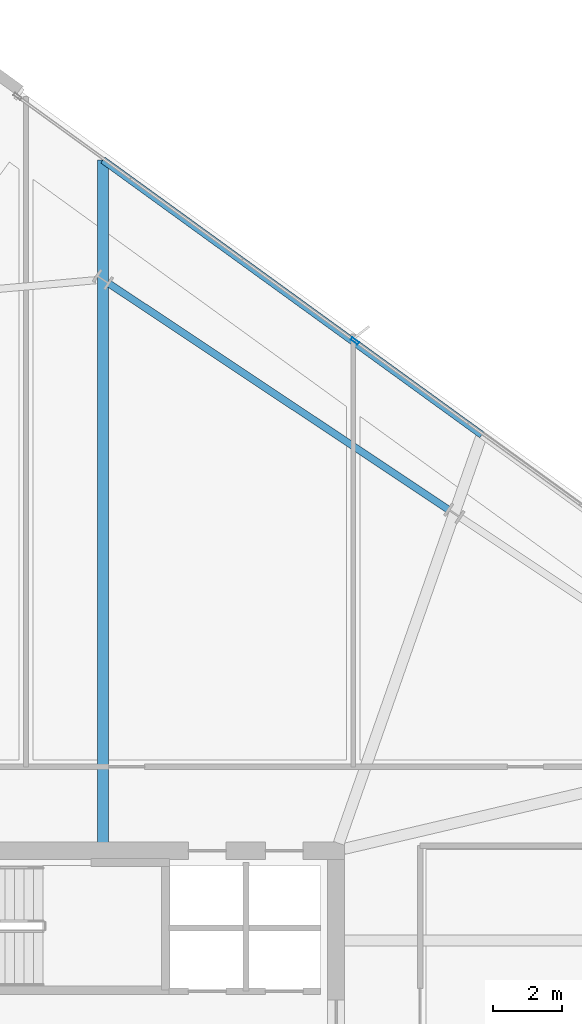
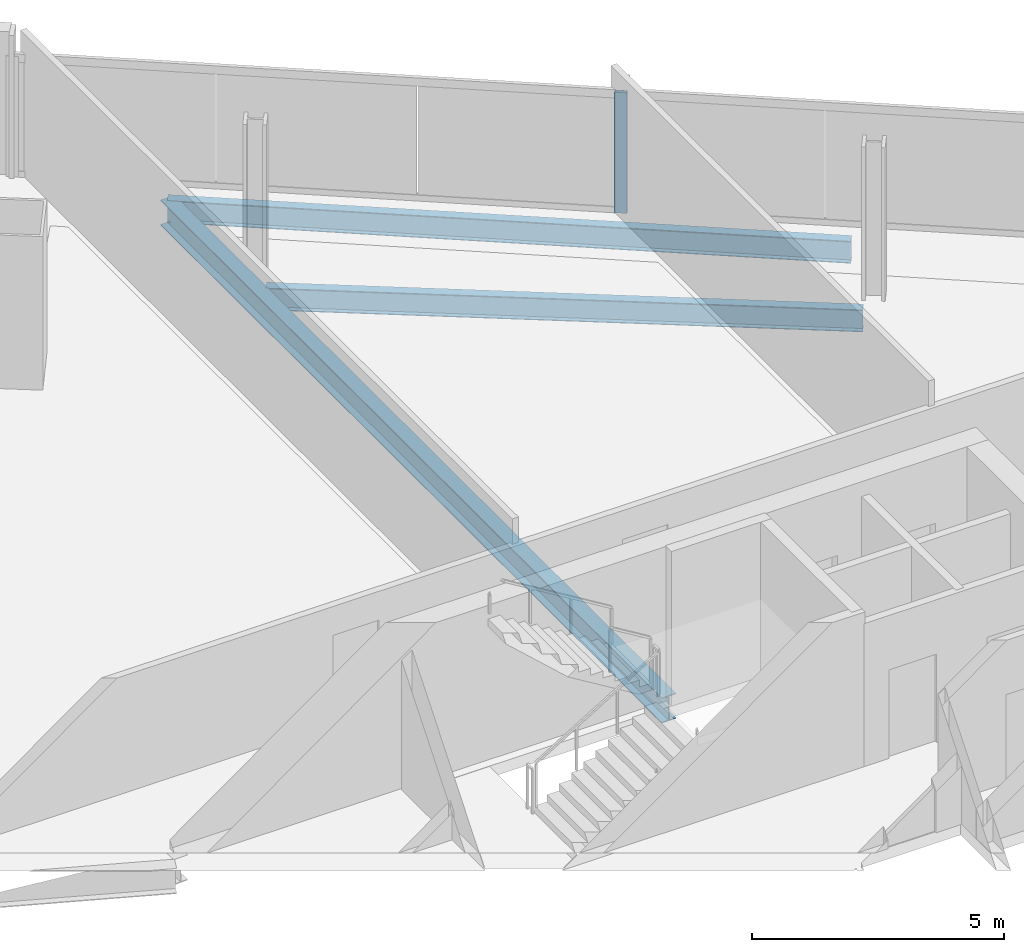
# One storey, part 19 of 29: 3 beams, 1 member, 1 element without a shape of its own.
"""IFC4 building model written with IfcOpenShell, lengths in metres."""

from ifc_helpers import new_model, si_unit, direction, frame, origin, origin_2d, place, context, subcontext, project, spatial, hollow_rectangle, i_section, extrude, material, material_profile, profile_set, type_object, element, aggregate, save


model = new_model("IFC4")

# Units and contexts
model_context = context("Model", 3, precision=1e-05, world=origin(), true_north=direction((0.0, 1.0)))
body_context = subcontext(model_context, "Body", "Model", "MODEL_VIEW")
ifc_project = project(units=[si_unit("LENGTHUNIT", "METRE"), si_unit("AREAUNIT", "SQUARE_METRE"), si_unit("VOLUMEUNIT", "CUBIC_METRE"), si_unit("PLANEANGLEUNIT", "RADIAN"), si_unit("MASSUNIT", "GRAM", prefix="KILO")], contexts=[model_context])

# Site, building, storey
site_placement = place(None, origin())
site = spatial("IfcSite", under=ifc_project, at=site_placement, CompositionType="ELEMENT")
building_placement = place(site_placement, origin())
building = spatial("IfcBuilding", under=site, at=building_placement, Name="Haldenkirk Collegiate Tower", CompositionType="ELEMENT")
storey_placement = place(building_placement, frame((0.0, 0.0, 209.699951171875)))
storey = spatial("IfcBuildingStorey", under=building, at=storey_placement, Name="L52", CompositionType="ELEMENT", Elevation=209.699951171875)

# Beams
ifc_material_1 = material(Name="Steel ASTM A992 Grade 50", Category="steel")
ifc_material_profile_1 = material_profile(ifc_material_1, i_section(OverallWidth=0.324951171875, OverallDepth=0.615966796875, WebThickness=0.013916015625, FlangeThickness=0.021484375, at=origin_2d()), Name="W24X117")
ifc_profile_set_1 = profile_set([ifc_material_profile_1], Name="Steel ASTM A992 Grade 50")
beam_type_1 = type_object("IfcBeamType", Name="BM-GIRDER-W24X117", PredefinedType="BEAM", material=ifc_profile_set_1)
beam_1_placement = place(storey_placement, frame((38.192626953125, 54.155517578125, -0.587890625), z_axis=(0.0, -1.0, 0.0), x_axis=(1.0, 0.0, 0.0)))
element("IfcBeam", 1, at=beam_1_placement, inside=storey, type_object=beam_type_1, Name="L52 primary floor girder 10", PredefinedType="BEAM", context=body_context, shape_type="SweptSolid", body=[
    extrude(i_section(OverallWidth=0.324951171875, OverallDepth=0.615966796875, WebThickness=0.013916015625, FlangeThickness=0.021484375, at=origin_2d()), origin(), (0.0, 0.0, 1.0), 19.925537109375),
])
ifc_material_profile_2 = material_profile(ifc_material_1, i_section(OverallWidth=0.2099609375, OverallDepth=0.537109375, WebThickness=0.010986328125, FlangeThickness=0.017333984375, at=origin_2d()), Name="W21X68")
ifc_profile_set_2 = profile_set([ifc_material_profile_2], Name="Steel ASTM A992 Grade 50")
beam_type_2 = type_object("IfcBeamType", Name="BM-SPANDREL-W21X68", PredefinedType="SPANDREL", material=ifc_profile_set_2)
beam_2_placement = place(storey_placement, frame((48.266845703125, 43.96240234375, -0.54833984375), z_axis=(-0.832429330124, 0.554131221237, 0.0), x_axis=(-0.554131221237, -0.832429330124, 0.0)))
element("IfcBeam", 2, at=beam_2_placement, inside=storey, type_object=beam_type_2, Name="L52 perimeter spandrel beam 07", PredefinedType="SPANDREL", context=body_context, shape_type="SweptSolid", body=[
    extrude(i_section(OverallWidth=0.2099609375, OverallDepth=0.537109375, WebThickness=0.010986328125, FlangeThickness=0.017333984375, at=origin_2d()), origin(), (0.0, 0.0, 1.0), 11.88525390625),
])
beam_3_placement = place(storey_placement, frame((49.2509765625, 46.135986328125, -0.54833984375), z_axis=(-0.809532935331, 0.587074464284, 0.0), x_axis=(-0.587074464284, -0.809532935331, 0.0)))
element("IfcBeam", 3, at=beam_3_placement, inside=storey, type_object=beam_type_2, Name="L52 outer facade edge beam 2B", PredefinedType="SPANDREL", context=body_context, shape_type="SweptSolid", body=[
    extrude(i_section(OverallWidth=0.2099609375, OverallDepth=0.537109375, WebThickness=0.010986328125, FlangeThickness=0.017333984375, at=origin_2d()), origin(), (0.0, 0.0, 1.0), 13.66015625),
])

# Curtain wall, member
ifc_material_2 = material(Name="Anodised architectural bronze aluminium", Category="aluminium")
curtain_wall_type = type_object("IfcCurtainWallType", Name="CW-SYS1B-CONVEX-HI", PredefinedType="USERDEFINED", material=ifc_material_2)
curtain_wall_placement = place(storey_placement, origin())
curtain_wall = element("IfcCurtainWall", 4, at=curtain_wall_placement, inside=storey, type_object=curtain_wall_type, Name="L52 Upper tower high-wind convex bronze unitised curtain wall", ObjectType="UNITISED CURTAIN WALL", PredefinedType="USERDEFINED")
ifc_material_profile_3 = material_profile(ifc_material_2, hollow_rectangle(XDim=0.0849609375, YDim=0.25, WallThickness=0.0048828125, at=origin_2d()), Name="CW-MUL-1B")
ifc_profile_set_3 = profile_set([ifc_material_profile_3], Name="Anodised architectural bronze aluminium")
member_type = type_object("IfcMemberType", Name="CW-MUL-1B", PredefinedType="MULLION", material=ifc_profile_set_3)
member_placement = place(storey_placement, frame((45.546142578125, 48.872314453125, 0.0), z_axis=(0.0, 0.0, 1.0), x_axis=(0.587080258293, 0.809528733476, 0.0)))
member = element("IfcMember", 5, at=member_placement, type_object=member_type, Name="CW-1B mullion 2", PredefinedType="MULLION", context=body_context, shape_type="SweptSolid", body=[
    extrude(hollow_rectangle(XDim=0.0849609375, YDim=0.25, WallThickness=0.0048828125, at=origin_2d()), origin(), (0.0, 0.0, 1.0), 2.927978515625),
])
aggregate(curtain_wall, [member])

save(model, "model.ifc")
